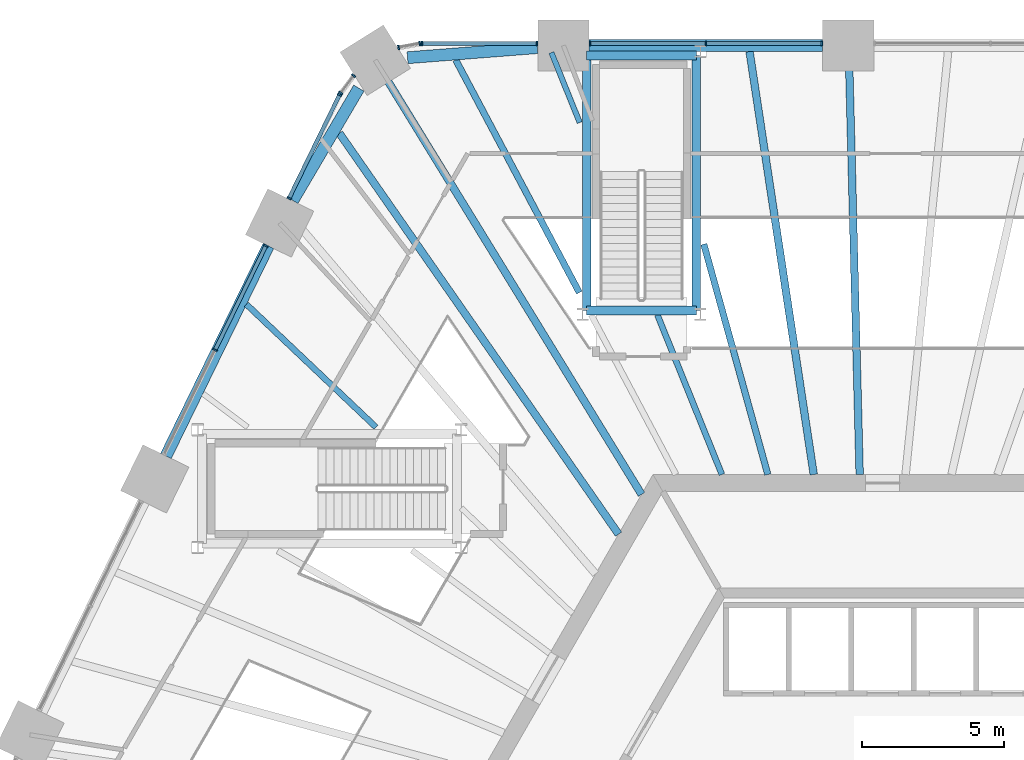
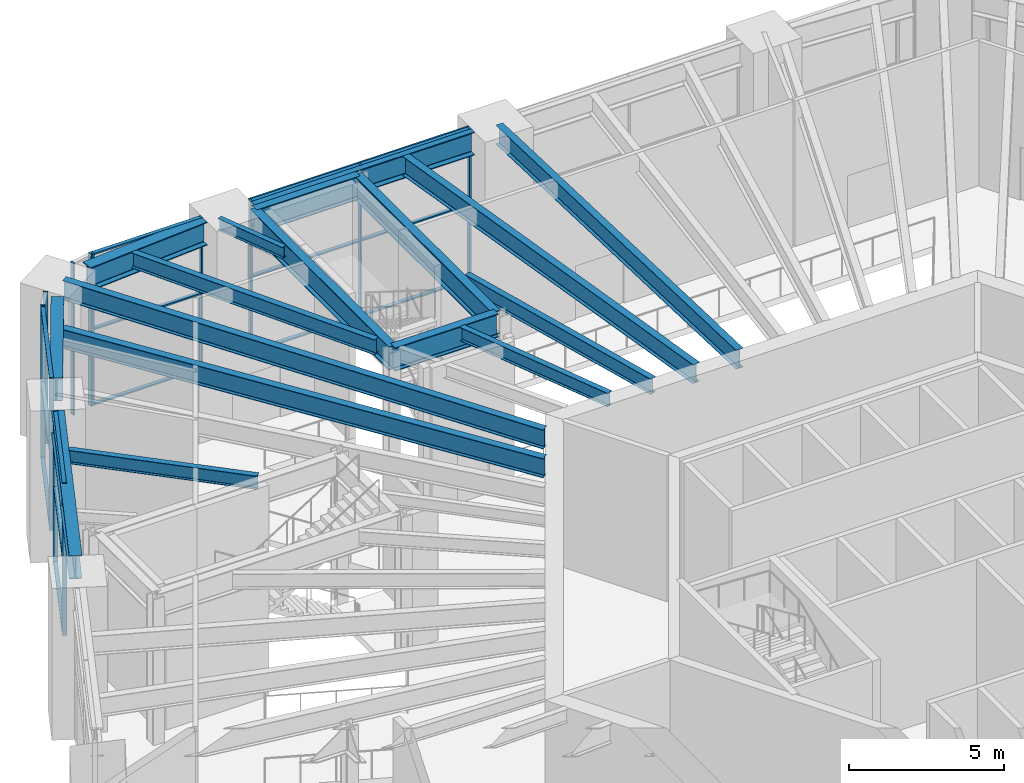
# One storey, part 8 of 32: 28 members, 17 beams, 6 elements without a shape of their own.
"""IFC4 building model written with IfcOpenShell, lengths in metres."""

from ifc_helpers import new_model, si_unit, direction, frame, origin, origin_2d, place, context, subcontext, project, spatial, rectangle, i_section, extrude, material, material_profile, profile_set, type_object, element, aggregate, save


model = new_model("IFC4")

# Units and contexts
model_context = context("Model", 3, precision=1e-05, world=origin(), true_north=direction((0.0, 1.0)))
body_context = subcontext(model_context, "Body", "Model", "MODEL_VIEW")
ifc_project = project(units=[si_unit("LENGTHUNIT", "METRE"), si_unit("AREAUNIT", "SQUARE_METRE"), si_unit("VOLUMEUNIT", "CUBIC_METRE"), si_unit("PLANEANGLEUNIT", "RADIAN"), si_unit("MASSUNIT", "GRAM", prefix="KILO")], contexts=[model_context])

# Site, building, storey
site_placement = place(None, origin())
site = spatial("IfcSite", under=ifc_project, at=site_placement, CompositionType="ELEMENT")
building_placement = place(site_placement, origin())
building = spatial("IfcBuilding", under=site, at=building_placement, Name="Tarnside Tower", CompositionType="ELEMENT")
storey_placement = place(building_placement, frame((0.0, 0.0, 9.0)))
storey = spatial("IfcBuildingStorey", under=building, at=storey_placement, Name="L01", CompositionType="ELEMENT", Elevation=9.0)

# Beams
ifc_material_1 = material(Name="Steel S355", Category="steel")
ifc_material_profile_1 = material_profile(ifc_material_1, i_section(OverallWidth=0.18994140625, OverallDepth=0.453369140625, WebThickness=0.008544921875, FlangeThickness=0.0126953125, FilletRadius=0.01025390625, at=origin_2d()), Name="UB 457x191x67")
ifc_profile_set_1 = profile_set([ifc_material_profile_1], Name="Steel S355")
beam_type_1 = type_object("IfcBeamType", Name="Floor beam UB 457x191x67", PredefinedType="BEAM", material=ifc_profile_set_1)
beam_1_placement = place(storey_placement, frame((-11.659912109375, 28.85595703125, 5.523193359375), z_axis=(0.374581275825, -0.927194083136, 0.0), x_axis=(0.927194083136, 0.374581275825, 0.0)))
element("IfcBeam", 1, at=beam_1_placement, inside=storey, type_object=beam_type_1, Name="Floor beam F1.08a", PredefinedType="BEAM", context=body_context, shape_type="SweptSolid", body=[
    extrude(i_section(OverallWidth=0.18994140625, OverallDepth=0.453369140625, WebThickness=0.008544921875, FlangeThickness=0.0126953125, FilletRadius=0.01025390625, at=origin_2d()), origin(), (0.0, 0.0, 1.0), 2.6630859375),
])
ifc_material_profile_2 = material_profile(ifc_material_1, i_section(OverallWidth=0.209228515625, OverallDepth=0.533203125, WebThickness=0.010009765625, FlangeThickness=0.015625, FilletRadius=0.0126953125, at=origin_2d()), Name="UB 533x210x92")
ifc_profile_set_2 = profile_set([ifc_material_profile_2], Name="Steel S355")
beam_type_2 = type_object("IfcBeamType", Name="Floor beam UB 533x210x92", PredefinedType="BEAM", material=ifc_profile_set_2)
beam_2_placement = place(storey_placement, frame((-7.929443359375, 19.622314453125, 5.4833984375), z_axis=(0.374595519169, -0.927188328776, 0.0), x_axis=(0.927188328776, 0.374595519169, 0.0)))
element("IfcBeam", 2, at=beam_2_placement, inside=storey, type_object=beam_type_2, Name="Floor beam F1.08b", PredefinedType="BEAM", context=body_context, shape_type="SweptSolid", body=[
    extrude(i_section(OverallWidth=0.209228515625, OverallDepth=0.533203125, WebThickness=0.010009765625, FlangeThickness=0.015625, FilletRadius=0.0126953125, at=origin_2d()), origin(), (0.0, 0.0, 1.0), 6.063720703125),
])
beam_3_placement = place(storey_placement, frame((-22.39404296875, 19.98779296875, 5.4833984375), z_axis=(0.725647269442, -0.688066886539, 0.0), x_axis=(0.688066886539, 0.725647269442, 0.0)))
element("IfcBeam", 3, at=beam_3_placement, inside=storey, type_object=beam_type_2, Name="Floor beam F2.03a", PredefinedType="BEAM", context=body_context, shape_type="SweptSolid", body=[
    extrude(i_section(OverallWidth=0.209228515625, OverallDepth=0.533203125, WebThickness=0.010009765625, FlangeThickness=0.015625, FilletRadius=0.0126953125, at=origin_2d()), origin(), (0.0, 0.0, 1.0), 6.2822265625),
])
ifc_material_profile_3 = material_profile(ifc_material_1, i_section(OverallWidth=0.2275390625, OverallDepth=0.6025390625, WebThickness=0.010498046875, FlangeThickness=0.014892578125, FilletRadius=0.0126953125, at=origin_2d()), Name="UB 610x229x101")
ifc_profile_set_3 = profile_set([ifc_material_profile_3], Name="Steel S355")
beam_type_3 = type_object("IfcBeamType", Name="Floor beam UB 610x229x101", PredefinedType="BEAM", material=ifc_profile_set_3)
beam_4_placement = place(storey_placement, frame((-6.294677734375, 22.1083984375, 5.44873046875), z_axis=(0.267736629204, -0.963492136648, 0.0), x_axis=(0.963492136648, 0.267736629204, 0.0)))
element("IfcBeam", 4, at=beam_4_placement, inside=storey, type_object=beam_type_3, Name="Floor beam F1.07", PredefinedType="BEAM", context=body_context, shape_type="SweptSolid", body=[
    extrude(i_section(OverallWidth=0.2275390625, OverallDepth=0.6025390625, WebThickness=0.010498046875, FlangeThickness=0.014892578125, FilletRadius=0.0126953125, at=origin_2d()), origin(), (0.0, 0.0, 1.0), 8.41552734375),
])
beam_5_placement = place(storey_placement, frame((-15.027587890625, 28.593505859375, 5.44873046875), z_axis=(0.469154584499, -0.883116060234, 0.0), x_axis=(0.883116060234, 0.469154584499, 0.0)))
element("IfcBeam", 5, at=beam_5_placement, inside=storey, type_object=beam_type_3, Name="Floor beam F1.09a", PredefinedType="BEAM", context=body_context, shape_type="SweptSolid", body=[
    extrude(i_section(OverallWidth=0.2275390625, OverallDepth=0.6025390625, WebThickness=0.010498046875, FlangeThickness=0.014892578125, FilletRadius=0.0126953125, at=origin_2d()), origin(), (0.0, 0.0, 1.0), 9.27587890625),
])
ifc_material_profile_4 = material_profile(ifc_material_1, i_section(OverallWidth=0.26513671875, OverallDepth=0.75390625, WebThickness=0.0126953125, FlangeThickness=0.017578125, FilletRadius=0.0166015625, at=origin_2d()), Name="UB 762x267x147")
ifc_profile_set_4 = profile_set([ifc_material_profile_4], Name="Steel S355")
beam_type_4 = type_object("IfcBeamType", Name="Floor beam UB 762x267x147", PredefinedType="BEAM", material=ifc_profile_set_4)
beam_6_placement = place(storey_placement, frame((-1.189697265625, 28.889892578125, 5.373046875), z_axis=(0.025602780317, -0.999672195092, 0.0), x_axis=(0.999672195092, 0.025602780317, 0.0)))
element("IfcBeam", 6, at=beam_6_placement, inside=storey, type_object=beam_type_4, Name="Floor beam F1.05", PredefinedType="BEAM", context=body_context, shape_type="SweptSolid", body=[
    extrude(i_section(OverallWidth=0.26513671875, OverallDepth=0.75390625, WebThickness=0.0126953125, FlangeThickness=0.017578125, FilletRadius=0.0166015625, at=origin_2d()), origin(), (0.0, 0.0, 1.0), 14.894775390625),
])
beam_7_placement = place(storey_placement, frame((-4.684326171875, 28.889892578125, 5.373046875), z_axis=(0.150031075445, -0.988681281506, 0.0), x_axis=(0.988681281506, 0.150031075445, 0.0)))
element("IfcBeam", 7, at=beam_7_placement, inside=storey, type_object=beam_type_4, Name="Floor beam F1.06", PredefinedType="BEAM", context=body_context, shape_type="SweptSolid", body=[
    extrude(i_section(OverallWidth=0.26513671875, OverallDepth=0.75390625, WebThickness=0.0126953125, FlangeThickness=0.017578125, FilletRadius=0.0166015625, at=origin_2d()), origin(), (0.0, 0.0, 1.0), 15.060302734375),
])
ifc_material_profile_5 = material_profile(ifc_material_1, i_section(OverallWidth=0.2666015625, OverallDepth=0.76220703125, WebThickness=0.014404296875, FlangeThickness=0.021484375, FilletRadius=0.0166015625, at=origin_2d()), Name="UB 762x267x173")
ifc_profile_set_5 = profile_set([ifc_material_profile_5], Name="Steel S355")
beam_type_5 = type_object("IfcBeamType", Name="Floor beam UB 762x267x173", PredefinedType="BEAM", material=ifc_profile_set_5)
beam_8_placement = place(storey_placement, frame((-17.7392578125, 28.375732421875, 5.368896484375), z_axis=(0.523065896899, -0.852292243014, 0.0), x_axis=(0.852292243014, 0.523065896899, 0.0)))
element("IfcBeam", 8, at=beam_8_placement, inside=storey, type_object=beam_type_5, Name="Floor beam C1", PredefinedType="BEAM", context=body_context, shape_type="SweptSolid", body=[
    extrude(i_section(OverallWidth=0.2666015625, OverallDepth=0.76220703125, WebThickness=0.014404296875, FlangeThickness=0.021484375, FilletRadius=0.0166015625, at=origin_2d()), origin(), (0.0, 0.0, 1.0), 17.6884765625),
])
beam_9_placement = place(storey_placement, frame((-19.12646484375, 26.0166015625, 5.368896484375), z_axis=(0.571485220827, -0.820612358167, 0.0), x_axis=(0.820612358167, 0.571485220827, 0.0)))
element("IfcBeam", 9, at=beam_9_placement, inside=storey, type_object=beam_type_5, Name="Floor beam F2.01", PredefinedType="BEAM", context=body_context, shape_type="SweptSolid", body=[
    extrude(i_section(OverallWidth=0.2666015625, OverallDepth=0.76220703125, WebThickness=0.014404296875, FlangeThickness=0.021484375, FilletRadius=0.0166015625, at=origin_2d()), origin(), (0.0, 0.0, 1.0), 17.20263671875),
])
ifc_material_profile_6 = material_profile(ifc_material_1, i_section(OverallWidth=0.3076171875, OverallDepth=0.926513671875, WebThickness=0.01953125, FlangeThickness=0.031982421875, FilletRadius=0.01904296875, at=origin_2d()), Name="UB 914x305x289")
ifc_profile_set_6 = profile_set([ifc_material_profile_6], Name="Steel S355")
beam_type_6 = type_object("IfcBeamType", Name="Perimeter girder UB 914x305x289", PredefinedType="BEAM", material=ifc_profile_set_6)
beam_10_placement = place(storey_placement, frame((-10.418701171875, 28.75390625, 5.28662109375), z_axis=(1.0, 0.0, 0.0), x_axis=(0.0, 1.0, 0.0)))
element("IfcBeam", 10, at=beam_10_placement, inside=storey, type_object=beam_type_6, Name="Perimeter girder T1", PredefinedType="BEAM", context=body_context, shape_type="SweptSolid", body=[
    extrude(i_section(OverallWidth=0.3076171875, OverallDepth=0.926513671875, WebThickness=0.01953125, FlangeThickness=0.031982421875, FilletRadius=0.01904296875, at=origin_2d()), origin(), (0.0, 0.0, 1.0), 3.85791015625),
])
beam_11_placement = place(storey_placement, frame((-6.560791015625, 28.75390625, 5.28662109375), z_axis=(0.0, -1.0, 0.0), x_axis=(1.0, 0.0, 0.0)))
element("IfcBeam", 11, at=beam_11_placement, inside=storey, type_object=beam_type_6, Name="Perimeter girder T2", PredefinedType="BEAM", context=body_context, shape_type="SweptSolid", body=[
    extrude(i_section(OverallWidth=0.3076171875, OverallDepth=0.926513671875, WebThickness=0.01953125, FlangeThickness=0.031982421875, FilletRadius=0.01904296875, at=origin_2d()), origin(), (0.0, 0.0, 1.0), 8.977783203125),
])
beam_12_placement = place(storey_placement, frame((-6.560791015625, 19.776123046875, 5.28662109375), z_axis=(-1.0, 0.0, 0.0), x_axis=(0.0, -1.0, 0.0)))
element("IfcBeam", 12, at=beam_12_placement, inside=storey, type_object=beam_type_6, Name="Perimeter girder T3", PredefinedType="BEAM", context=body_context, shape_type="SweptSolid", body=[
    extrude(i_section(OverallWidth=0.3076171875, OverallDepth=0.926513671875, WebThickness=0.01953125, FlangeThickness=0.031982421875, FilletRadius=0.01904296875, at=origin_2d()), origin(), (0.0, 0.0, 1.0), 3.85791015625),
])
beam_13_placement = place(storey_placement, frame((-10.418701171875, 19.776123046875, 5.28662109375), z_axis=(0.0, 1.0, 0.0), x_axis=(-1.0, 0.0, 0.0)))
element("IfcBeam", 13, at=beam_13_placement, inside=storey, type_object=beam_type_6, Name="Perimeter girder T4", PredefinedType="BEAM", context=body_context, shape_type="SweptSolid", body=[
    extrude(i_section(OverallWidth=0.3076171875, OverallDepth=0.926513671875, WebThickness=0.01953125, FlangeThickness=0.031982421875, FilletRadius=0.01904296875, at=origin_2d()), origin(), (0.0, 0.0, 1.0), 8.977783203125),
])
ifc_material_2 = material(Name="Steel S460", Category="steel")
ifc_material_profile_7 = material_profile(ifc_material_2, i_section(OverallWidth=0.42041015625, OverallDepth=0.9208984375, WebThickness=0.021484375, FlangeThickness=0.03662109375, FilletRadius=0.024169921875, at=origin_2d()), Name="UB 914x419x388")
ifc_profile_set_7 = profile_set([ifc_material_profile_7], Name="Steel S460")
beam_type_7 = type_object("IfcBeamType", Name="Perimeter girder UB 914x419x388", PredefinedType="BEAM", material=ifc_profile_set_7)
beam_14_placement = place(storey_placement, frame((-2.111083984375, 29.10009765625, 5.28955078125), z_axis=(-1.0, 0.0, 0.0), x_axis=(0.0, -1.0, 0.0)))
element("IfcBeam", 14, at=beam_14_placement, inside=storey, type_object=beam_type_7, Name="Perimeter girder M02", PredefinedType="BEAM", context=body_context, shape_type="SweptSolid", body=[
    extrude(i_section(OverallWidth=0.42041015625, OverallDepth=0.9208984375, WebThickness=0.021484375, FlangeThickness=0.03662109375, FilletRadius=0.024169921875, at=origin_2d()), origin(), (0.0, 0.0, 1.0), 8.2236328125),
])
beam_15_placement = place(storey_placement, frame((-12.152099609375, 29.028564453125, 5.28955078125), z_axis=(-0.996975045489, -0.077722317728, 0.0), x_axis=(0.077722317728, -0.996975045489, 0.0)))
element("IfcBeam", 15, at=beam_15_placement, inside=storey, type_object=beam_type_7, Name="Perimeter girder M03", PredefinedType="BEAM", context=body_context, shape_type="SweptSolid", body=[
    extrude(i_section(OverallWidth=0.42041015625, OverallDepth=0.9208984375, WebThickness=0.021484375, FlangeThickness=0.03662109375, FilletRadius=0.024169921875, at=origin_2d()), origin(), (0.0, 0.0, 1.0), 4.586181640625),
])
beam_16_placement = place(storey_placement, frame((-18.438720703125, 27.600830078125, 5.28955078125), z_axis=(-0.506929396531, -0.861987579338, 0.0), x_axis=(0.861987579338, -0.506929396531, 0.0)))
element("IfcBeam", 16, at=beam_16_placement, inside=storey, type_object=beam_type_7, Name="Perimeter girder M04", PredefinedType="BEAM", context=body_context, shape_type="SweptSolid", body=[
    extrude(i_section(OverallWidth=0.42041015625, OverallDepth=0.9208984375, WebThickness=0.021484375, FlangeThickness=0.03662109375, FilletRadius=0.024169921875, at=origin_2d()), origin(), (0.0, 0.0, 1.0), 4.58642578125),
])
beam_17_placement = place(storey_placement, frame((-21.62451171875, 22.04541015625, 5.28955078125), z_axis=(-0.438368649743, -0.898795264186, 0.0), x_axis=(0.898795264186, -0.438368649743, 0.0)))
element("IfcBeam", 17, at=beam_17_placement, inside=storey, type_object=beam_type_7, Name="Perimeter girder M05", PredefinedType="BEAM", context=body_context, shape_type="SweptSolid", body=[
    extrude(i_section(OverallWidth=0.42041015625, OverallDepth=0.9208984375, WebThickness=0.021484375, FlangeThickness=0.03662109375, FilletRadius=0.024169921875, at=origin_2d()), origin(), (0.0, 0.0, 1.0), 8.2236328125),
])

# Curtain wall, members
ifc_material_3 = material(Name="Retail shopfront glazing wall", Category="glass")
curtain_wall_type = type_object("IfcCurtainWallType", Name="Retail shopfront glazing wall", PredefinedType="NOTDEFINED", material=ifc_material_3)
curtain_wall_1_placement = place(storey_placement, origin())
curtain_wall_1 = element("IfcCurtainWall", 18, at=curtain_wall_1_placement, inside=storey, type_object=curtain_wall_type, Name="Retail shopfront glazing L01 01.0", PredefinedType="NOTDEFINED")
ifc_material_4 = material(Name="Aluminium alloy 6063", Category="aluminium")
ifc_material_profile_8 = material_profile(ifc_material_4, rectangle(XDim=0.159912109375, YDim=0.06005859375, at=origin_2d()), Name="Retail shopfront glazing mullion 60 x 160")
ifc_profile_set_8 = profile_set([ifc_material_profile_8], Name="Aluminium alloy 6063")
member_type_1 = type_object("IfcMemberType", Name="Retail shopfront glazing mullion 60 x 160", PredefinedType="MULLION", material=ifc_profile_set_8)
member_1_placement = place(storey_placement, frame((-2.14111328125, 29.179931640625, -0.25), z_axis=(0.0, 0.0, 1.0), x_axis=(0.0, -1.0, 0.0)))
member_1 = element("IfcMember", 19, at=member_1_placement, type_object=member_type_1, Name="CW2 mullion 1", PredefinedType="MULLION", context=body_context, shape_type="SweptSolid", body=[
    extrude(rectangle(XDim=0.159912109375, YDim=0.06005859375, at=origin_2d()), origin(), (0.0, 0.0, 1.0), 6.0),
])
member_2_placement = place(storey_placement, frame((-6.222900390625, 29.179931640625, -0.25), z_axis=(0.0, 0.0, 1.0), x_axis=(0.0, -1.0, 0.0)))
member_2 = element("IfcMember", 20, at=member_2_placement, type_object=member_type_1, Name="CW2 mullion 2", PredefinedType="MULLION", context=body_context, shape_type="SweptSolid", body=[
    extrude(rectangle(XDim=0.159912109375, YDim=0.06005859375, at=origin_2d()), origin(), (0.0, 0.0, 1.0), 6.0),
])
member_3_placement = place(storey_placement, frame((-10.3046875, 29.179931640625, -0.25), z_axis=(0.0, 0.0, 1.0), x_axis=(0.0, -1.0, 0.0)))
member_3 = element("IfcMember", 21, at=member_3_placement, type_object=member_type_1, Name="CW2 mullion 3", PredefinedType="MULLION", context=body_context, shape_type="SweptSolid", body=[
    extrude(rectangle(XDim=0.159912109375, YDim=0.06005859375, at=origin_2d()), origin(), (0.0, 0.0, 1.0), 6.0),
])

curtain_wall_2_placement = place(storey_placement, origin())
curtain_wall_2 = element("IfcCurtainWall", 22, at=curtain_wall_2_placement, inside=storey, type_object=curtain_wall_type, Name="Retail shopfront glazing L01 02.0", PredefinedType="NOTDEFINED")
member_4_placement = place(storey_placement, frame((-12.164794921875, 29.179931640625, -0.25), z_axis=(0.0, 0.0, 1.0), x_axis=(0.0, -1.0, 0.0)))
member_4 = element("IfcMember", 23, at=member_4_placement, type_object=member_type_1, Name="CW2 mullion 1", PredefinedType="MULLION", context=body_context, shape_type="SweptSolid", body=[
    extrude(rectangle(XDim=0.159912109375, YDim=0.06005859375, at=origin_2d()), origin(), (0.0, 0.0, 1.0), 6.0),
])
member_5_placement = place(storey_placement, frame((-16.216552734375, 29.179931640625, -0.25), z_axis=(0.0, 0.0, 1.0), x_axis=(0.0, -1.0, 0.0)))
member_5 = element("IfcMember", 24, at=member_5_placement, type_object=member_type_1, Name="CW2 mullion 2", PredefinedType="MULLION", context=body_context, shape_type="SweptSolid", body=[
    extrude(rectangle(XDim=0.159912109375, YDim=0.06005859375, at=origin_2d()), origin(), (0.0, 0.0, 1.0), 6.0),
])

curtain_wall_3_placement = place(storey_placement, origin())
curtain_wall_3 = element("IfcCurtainWall", 25, at=curtain_wall_3_placement, inside=storey, type_object=curtain_wall_type, Name="Retail shopfront glazing L01 02.1", PredefinedType="NOTDEFINED")
member_6_placement = place(storey_placement, frame((-16.290771484375, 29.173095703125, -0.25), z_axis=(0.0, 0.0, 1.0), x_axis=(0.185094923925, -0.982720646541, 0.0)))
member_6 = element("IfcMember", 26, at=member_6_placement, type_object=member_type_1, Name="CW2 mullion 1", PredefinedType="MULLION", context=body_context, shape_type="SweptSolid", body=[
    extrude(rectangle(XDim=0.159912109375, YDim=0.06005859375, at=origin_2d()), origin(), (0.0, 0.0, 1.0), 6.0),
])
member_7_placement = place(storey_placement, frame((-17.0390625, 29.0322265625, -0.25), z_axis=(0.0, 0.0, 1.0), x_axis=(0.185094923925, -0.982720646541, 0.0)))
member_7 = element("IfcMember", 27, at=member_7_placement, type_object=member_type_1, Name="CW2 mullion 2", PredefinedType="MULLION", context=body_context, shape_type="SweptSolid", body=[
    extrude(rectangle(XDim=0.159912109375, YDim=0.06005859375, at=origin_2d()), origin(), (0.0, 0.0, 1.0), 6.0),
])
aggregate(curtain_wall_3, [member_6, member_7])

curtain_wall_4_placement = place(storey_placement, origin())
curtain_wall_4 = element("IfcCurtainWall", 28, at=curtain_wall_4_placement, inside=storey, type_object=curtain_wall_type, Name="Retail shopfront glazing L01 03.0", PredefinedType="NOTDEFINED")
member_8_placement = place(storey_placement, frame((-18.62451171875, 28.04150390625, -0.25), z_axis=(0.0, 0.0, 1.0), x_axis=(0.802123192845, -0.597158591581, 0.0)))
member_8 = element("IfcMember", 29, at=member_8_placement, type_object=member_type_1, Name="CW2 mullion 1", PredefinedType="MULLION", context=body_context, shape_type="SweptSolid", body=[
    extrude(rectangle(XDim=0.159912109375, YDim=0.06005859375, at=origin_2d()), origin(), (0.0, 0.0, 1.0), 6.0),
])
member_9_placement = place(storey_placement, frame((-19.0791015625, 27.430908203125, -0.25), z_axis=(0.0, 0.0, 1.0), x_axis=(0.802123192845, -0.597158591581, 0.0)))
member_9 = element("IfcMember", 30, at=member_9_placement, type_object=member_type_1, Name="CW2 mullion 2", PredefinedType="MULLION", context=body_context, shape_type="SweptSolid", body=[
    extrude(rectangle(XDim=0.159912109375, YDim=0.06005859375, at=origin_2d()), origin(), (0.0, 0.0, 1.0), 6.0),
])
aggregate(curtain_wall_4, [member_8, member_9])

curtain_wall_5_placement = place(storey_placement, origin())
curtain_wall_5 = element("IfcCurtainWall", 31, at=curtain_wall_5_placement, inside=storey, type_object=curtain_wall_type, Name="Retail shopfront glazing L01 03.1", PredefinedType="NOTDEFINED")
member_10_placement = place(storey_placement, frame((-19.117919921875, 27.366943359375, -0.25), z_axis=(0.0, 0.0, 1.0), x_axis=(0.898794046314, -0.438371146758, 0.0)))
member_10 = element("IfcMember", 32, at=member_10_placement, type_object=member_type_1, Name="CW2 mullion 1", PredefinedType="MULLION", context=body_context, shape_type="SweptSolid", body=[
    extrude(rectangle(XDim=0.159912109375, YDim=0.06005859375, at=origin_2d()), origin(), (0.0, 0.0, 1.0), 6.0),
])
member_11_placement = place(storey_placement, frame((-20.89404296875, 23.725341796875, -0.25), z_axis=(0.0, 0.0, 1.0), x_axis=(0.898794046314, -0.438371146758, 0.0)))
member_11 = element("IfcMember", 33, at=member_11_placement, type_object=member_type_1, Name="CW2 mullion 2", PredefinedType="MULLION", context=body_context, shape_type="SweptSolid", body=[
    extrude(rectangle(XDim=0.159912109375, YDim=0.06005859375, at=origin_2d()), origin(), (0.0, 0.0, 1.0), 6.0),
])

curtain_wall_6_placement = place(storey_placement, origin())
curtain_wall_6 = element("IfcCurtainWall", 34, at=curtain_wall_6_placement, inside=storey, type_object=curtain_wall_type, Name="Retail shopfront glazing L01 04.0", PredefinedType="NOTDEFINED")
member_12_placement = place(storey_placement, frame((-21.70947265625, 22.053466796875, -0.25), z_axis=(0.0, 0.0, 1.0), x_axis=(0.898794046292, -0.438371146805, 0.0)))
member_12 = element("IfcMember", 35, at=member_12_placement, type_object=member_type_1, Name="CW2 mullion 1", PredefinedType="MULLION", context=body_context, shape_type="SweptSolid", body=[
    extrude(rectangle(XDim=0.159912109375, YDim=0.06005859375, at=origin_2d()), origin(), (0.0, 0.0, 1.0), 6.0),
])
member_13_placement = place(storey_placement, frame((-23.498779296875, 18.384765625, -0.25), z_axis=(0.0, 0.0, 1.0), x_axis=(0.898794046292, -0.438371146805, 0.0)))
member_13 = element("IfcMember", 36, at=member_13_placement, type_object=member_type_1, Name="CW2 mullion 2", PredefinedType="MULLION", context=body_context, shape_type="SweptSolid", body=[
    extrude(rectangle(XDim=0.159912109375, YDim=0.06005859375, at=origin_2d()), origin(), (0.0, 0.0, 1.0), 6.0),
])

# Member
ifc_material_profile_9 = material_profile(ifc_material_4, rectangle(XDim=0.139892578125, YDim=0.06005859375, at=origin_2d()), Name="Retail shopfront glazing transom 60 x 140")
ifc_profile_set_9 = profile_set([ifc_material_profile_9], Name="Aluminium alloy 6063")
member_type_2 = type_object("IfcMemberType", Name="Retail shopfront glazing transom 60 x 140", PredefinedType="USERDEFINED", material=ifc_profile_set_9)
member_14_placement = place(storey_placement, frame((-2.171142578125, 29.179931640625, -0.219970703125), z_axis=(-1.0, 0.0, 0.0), x_axis=(0.0, -1.0, 0.0)))
member_14 = element("IfcMember", 37, at=member_14_placement, type_object=member_type_2, Name="CW2 transom 1.1", ObjectType="TRANSOM", PredefinedType="USERDEFINED", context=body_context, shape_type="SweptSolid", body=[
    extrude(rectangle(XDim=0.139892578125, YDim=0.06005859375, at=origin_2d()), origin(), (0.0, 0.0, 1.0), 4.021728515625),
])

member_15_placement = place(storey_placement, frame((-2.171142578125, 29.179931640625, 2.75), z_axis=(-1.0, 0.0, 0.0), x_axis=(0.0, -1.0, 0.0)))
member_15 = element("IfcMember", 38, at=member_15_placement, type_object=member_type_2, Name="CW2 transom 1.2", ObjectType="TRANSOM", PredefinedType="USERDEFINED", context=body_context, shape_type="SweptSolid", body=[
    extrude(rectangle(XDim=0.139892578125, YDim=0.06005859375, at=origin_2d()), origin(), (0.0, 0.0, 1.0), 4.021728515625),
])

member_16_placement = place(storey_placement, frame((-2.171142578125, 29.179931640625, 5.719970703125), z_axis=(-1.0, 0.0, 0.0), x_axis=(0.0, -1.0, 0.0)))
member_16 = element("IfcMember", 39, at=member_16_placement, type_object=member_type_2, Name="CW2 transom 1.3", ObjectType="TRANSOM", PredefinedType="USERDEFINED", context=body_context, shape_type="SweptSolid", body=[
    extrude(rectangle(XDim=0.139892578125, YDim=0.06005859375, at=origin_2d()), origin(), (0.0, 0.0, 1.0), 4.021728515625),
])

member_17_placement = place(storey_placement, frame((-6.2529296875, 29.179931640625, -0.219970703125), z_axis=(-1.0, 0.0, 0.0), x_axis=(0.0, -1.0, 0.0)))
member_17 = element("IfcMember", 40, at=member_17_placement, type_object=member_type_2, Name="CW2 transom 2.1", ObjectType="TRANSOM", PredefinedType="USERDEFINED", context=body_context, shape_type="SweptSolid", body=[
    extrude(rectangle(XDim=0.139892578125, YDim=0.06005859375, at=origin_2d()), origin(), (0.0, 0.0, 1.0), 4.021728515625),
])

member_18_placement = place(storey_placement, frame((-6.2529296875, 29.179931640625, 2.75), z_axis=(-1.0, 0.0, 0.0), x_axis=(0.0, -1.0, 0.0)))
member_18 = element("IfcMember", 41, at=member_18_placement, type_object=member_type_2, Name="CW2 transom 2.2", ObjectType="TRANSOM", PredefinedType="USERDEFINED", context=body_context, shape_type="SweptSolid", body=[
    extrude(rectangle(XDim=0.139892578125, YDim=0.06005859375, at=origin_2d()), origin(), (0.0, 0.0, 1.0), 4.021728515625),
])

member_19_placement = place(storey_placement, frame((-6.2529296875, 29.179931640625, 5.719970703125), z_axis=(-1.0, 0.0, 0.0), x_axis=(0.0, -1.0, 0.0)))
member_19 = element("IfcMember", 42, at=member_19_placement, type_object=member_type_2, Name="CW2 transom 2.3", ObjectType="TRANSOM", PredefinedType="USERDEFINED", context=body_context, shape_type="SweptSolid", body=[
    extrude(rectangle(XDim=0.139892578125, YDim=0.06005859375, at=origin_2d()), origin(), (0.0, 0.0, 1.0), 4.021728515625),
])

aggregate(curtain_wall_1, [member_1, member_2, member_3, member_14, member_15, member_16, member_17, member_18, member_19])

member_20_placement = place(storey_placement, frame((-12.19482421875, 29.179931640625, -0.219970703125), z_axis=(-1.0, 0.0, 0.0), x_axis=(0.0, -1.0, 0.0)))
member_20 = element("IfcMember", 43, at=member_20_placement, type_object=member_type_2, Name="CW2 transom 1.1", ObjectType="TRANSOM", PredefinedType="USERDEFINED", context=body_context, shape_type="SweptSolid", body=[
    extrude(rectangle(XDim=0.139892578125, YDim=0.06005859375, at=origin_2d()), origin(), (0.0, 0.0, 1.0), 3.99169921875),
])

member_21_placement = place(storey_placement, frame((-12.19482421875, 29.179931640625, 2.75), z_axis=(-1.0, 0.0, 0.0), x_axis=(0.0, -1.0, 0.0)))
member_21 = element("IfcMember", 44, at=member_21_placement, type_object=member_type_2, Name="CW2 transom 1.2", ObjectType="TRANSOM", PredefinedType="USERDEFINED", context=body_context, shape_type="SweptSolid", body=[
    extrude(rectangle(XDim=0.139892578125, YDim=0.06005859375, at=origin_2d()), origin(), (0.0, 0.0, 1.0), 3.99169921875),
])

member_22_placement = place(storey_placement, frame((-12.19482421875, 29.179931640625, 5.719970703125), z_axis=(-1.0, 0.0, 0.0), x_axis=(0.0, -1.0, 0.0)))
member_22 = element("IfcMember", 45, at=member_22_placement, type_object=member_type_2, Name="CW2 transom 1.3", ObjectType="TRANSOM", PredefinedType="USERDEFINED", context=body_context, shape_type="SweptSolid", body=[
    extrude(rectangle(XDim=0.139892578125, YDim=0.06005859375, at=origin_2d()), origin(), (0.0, 0.0, 1.0), 3.99169921875),
])

aggregate(curtain_wall_2, [member_4, member_5, member_20, member_21, member_22])

member_23_placement = place(storey_placement, frame((-19.131103515625, 27.340087890625, -0.219970703125), z_axis=(-0.43833566611, -0.898811350516, 0.0), x_axis=(0.898811350516, -0.43833566611, 0.0)))
member_23 = element("IfcMember", 46, at=member_23_placement, type_object=member_type_2, Name="CW2 transom 1.1", ObjectType="TRANSOM", PredefinedType="USERDEFINED", context=body_context, shape_type="SweptSolid", body=[
    extrude(rectangle(XDim=0.139892578125, YDim=0.06005859375, at=origin_2d()), origin(), (0.0, 0.0, 1.0), 3.99169921875),
])

member_24_placement = place(storey_placement, frame((-19.131103515625, 27.340087890625, 2.75), z_axis=(-0.43833566611, -0.898811350516, 0.0), x_axis=(0.898811350516, -0.43833566611, 0.0)))
member_24 = element("IfcMember", 47, at=member_24_placement, type_object=member_type_2, Name="CW2 transom 1.2", ObjectType="TRANSOM", PredefinedType="USERDEFINED", context=body_context, shape_type="SweptSolid", body=[
    extrude(rectangle(XDim=0.139892578125, YDim=0.06005859375, at=origin_2d()), origin(), (0.0, 0.0, 1.0), 3.99169921875),
])

member_25_placement = place(storey_placement, frame((-19.131103515625, 27.340087890625, 5.719970703125), z_axis=(-0.43833566611, -0.898811350516, 0.0), x_axis=(0.898811350516, -0.43833566611, 0.0)))
member_25 = element("IfcMember", 48, at=member_25_placement, type_object=member_type_2, Name="CW2 transom 1.3", ObjectType="TRANSOM", PredefinedType="USERDEFINED", context=body_context, shape_type="SweptSolid", body=[
    extrude(rectangle(XDim=0.139892578125, YDim=0.06005859375, at=origin_2d()), origin(), (0.0, 0.0, 1.0), 3.99169921875),
])

aggregate(curtain_wall_5, [member_10, member_11, member_23, member_24, member_25])

member_26_placement = place(storey_placement, frame((-21.72265625, 22.026611328125, -0.219970703125), z_axis=(-0.438353065484, -0.898802864916, 0.0), x_axis=(0.898802864916, -0.438353065484, 0.0)))
member_26 = element("IfcMember", 49, at=member_26_placement, type_object=member_type_2, Name="CW2 transom 1.1", ObjectType="TRANSOM", PredefinedType="USERDEFINED", context=body_context, shape_type="SweptSolid", body=[
    extrude(rectangle(XDim=0.139892578125, YDim=0.06005859375, at=origin_2d()), origin(), (0.0, 0.0, 1.0), 4.021728515625),
])

member_27_placement = place(storey_placement, frame((-21.72265625, 22.026611328125, 2.75), z_axis=(-0.438353065484, -0.898802864916, 0.0), x_axis=(0.898802864916, -0.438353065484, 0.0)))
member_27 = element("IfcMember", 50, at=member_27_placement, type_object=member_type_2, Name="CW2 transom 1.2", ObjectType="TRANSOM", PredefinedType="USERDEFINED", context=body_context, shape_type="SweptSolid", body=[
    extrude(rectangle(XDim=0.139892578125, YDim=0.06005859375, at=origin_2d()), origin(), (0.0, 0.0, 1.0), 4.021728515625),
])

member_28_placement = place(storey_placement, frame((-21.72265625, 22.026611328125, 5.719970703125), z_axis=(-0.438353065484, -0.898802864916, 0.0), x_axis=(0.898802864916, -0.438353065484, 0.0)))
member_28 = element("IfcMember", 51, at=member_28_placement, type_object=member_type_2, Name="CW2 transom 1.3", ObjectType="TRANSOM", PredefinedType="USERDEFINED", context=body_context, shape_type="SweptSolid", body=[
    extrude(rectangle(XDim=0.139892578125, YDim=0.06005859375, at=origin_2d()), origin(), (0.0, 0.0, 1.0), 4.021728515625),
])

aggregate(curtain_wall_6, [member_12, member_13, member_26, member_27, member_28])

save(model, "model.ifc")
